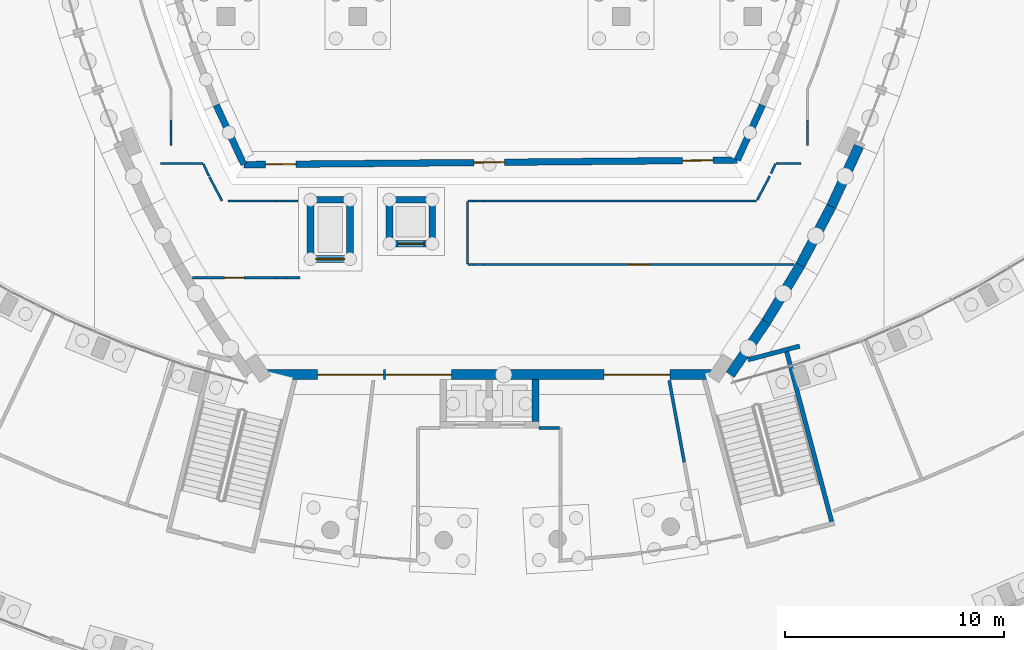
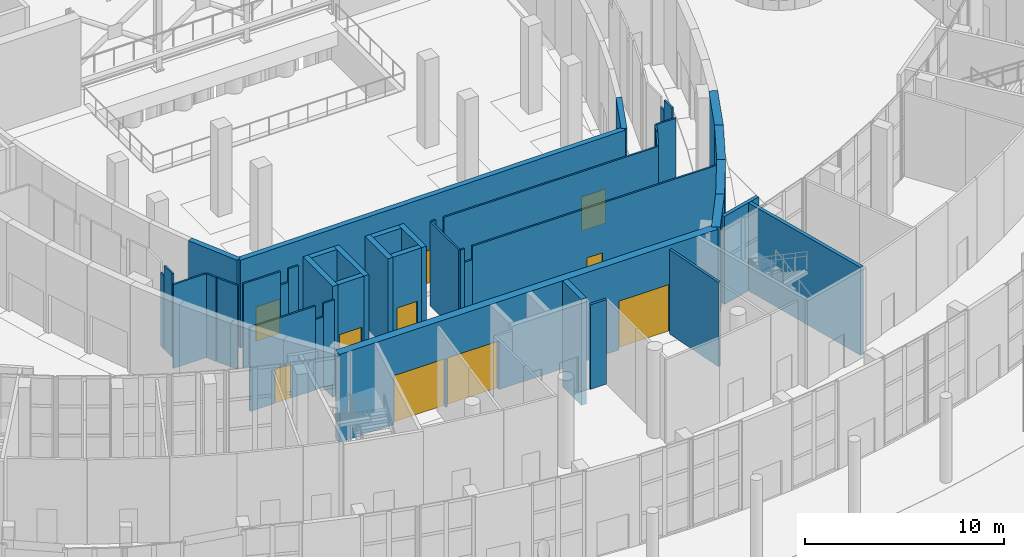
# One storey, part 48 of 82: 44 walls, 10 doors, 10 openings.
"""IFC4 building model written with IfcOpenShell, lengths in metres."""

from ifc_helpers import new_model, si_unit, direction, frame, frame_2d, origin, place, context, subcontext, project, spatial, rectangle, extrude, material, layer, layer_set, type_object, element, fill, save


model = new_model("IFC4")

# Units and contexts
model_context = context("Model", 3, precision=1e-05, world=origin(), true_north=direction((0.0, 1.0)))
body_context = subcontext(model_context, "Body", "Model", "MODEL_VIEW")
ifc_project = project(units=[si_unit("LENGTHUNIT", "METRE"), si_unit("AREAUNIT", "SQUARE_METRE"), si_unit("VOLUMEUNIT", "CUBIC_METRE"), si_unit("PLANEANGLEUNIT", "RADIAN"), si_unit("MASSUNIT", "GRAM", prefix="KILO")], contexts=[model_context])

# Site, building, storey
site_placement = place(None, origin())
site = spatial("IfcSite", under=ifc_project, at=site_placement, CompositionType="ELEMENT")
building_placement = place(site_placement, origin())
building = spatial("IfcBuilding", under=site, at=building_placement, Name="Tide Square Theatres", CompositionType="ELEMENT")
storey_placement = place(building_placement, origin())
storey = spatial("IfcBuildingStorey", under=building, at=storey_placement, Name="L00", CompositionType="ELEMENT", Elevation=0.0)

# Walls
ifc_material_1 = material(Name="Gypsum board on steel studs", Category="steel")
ifc_layer_1 = layer(ifc_material_1, 0.10009765625)
ifc_layer_set_1 = layer_set([ifc_layer_1], Name="Gypsum board on steel studs")
wall_type_1 = type_object("IfcWallType", Name="Partition 100 thick", PredefinedType="PARTITIONING", material=ifc_layer_set_1)
wall_1_placement = place(storey_placement, frame((69.02001953125, 33.199951171875, 0.0), z_axis=(0.0, 0.0, 1.0), x_axis=(1.0, 0.0, 0.0)))
element("IfcWall", 1, at=wall_1_placement, inside=storey, type_object=wall_type_1, Name="Partition", PredefinedType="PARTITIONING", context=body_context, shape_type="SweptSolid", body=[
    extrude(rectangle(XDim=1.92724609375, YDim=0.10009765625, at=frame_2d((0.963623046875, 0.0))), origin(), (0.0, 0.0, 1.0), 5.14990234375),
])
wall_2_placement = place(storey_placement, frame((69.5, 35.179931640625, 0.0), z_axis=(0.0, 0.0, 1.0), x_axis=(0.0, -1.0, 0.0)))
element("IfcWall", 2, at=wall_2_placement, inside=storey, type_object=wall_type_1, Name="Partition", PredefinedType="PARTITIONING", context=body_context, shape_type="SweptSolid", body=[
    extrude(rectangle(XDim=0.35986328125, YDim=0.10009765625, at=frame_2d((0.179931640625, 0.0))), origin(), (0.0, 0.0, 1.0), 4.52001953125),
])
wall_3_placement = place(storey_placement, frame((69.5, 34.820068359375, 0.0), z_axis=(0.0, 0.0, 1.0), x_axis=(0.0, -1.0, 0.0)))
element("IfcWall", 3, at=wall_3_placement, inside=storey, type_object=wall_type_1, Name="Partition", PredefinedType="PARTITIONING", context=body_context, shape_type="SweptSolid", body=[
    extrude(rectangle(XDim=0.796875, YDim=0.10009765625, at=frame_2d((0.3984375, 0.0))), origin(), (0.0, 0.0, 1.0), 5.14990234375),
])
wall_4_placement = place(storey_placement, frame((75.376953125, 28.0, 0.0), z_axis=(0.0, 0.0, 1.0), x_axis=(-1.0, 0.0, 0.0)))
element("IfcWall", 4, at=wall_4_placement, inside=storey, type_object=wall_type_1, Name="Partition", PredefinedType="PARTITIONING", context=body_context, shape_type="SweptSolid", body=[
    extrude(rectangle(XDim=0.64697265625, YDim=0.10009765625, at=frame_2d((0.323486328125, 0.0))), origin(), (0.0, 0.0, 1.0), 5.14990234375),
])
wall_5_placement = place(storey_placement, frame((74.72998046875, 28.0, 0.0), z_axis=(0.0, 0.0, 1.0), x_axis=(-1.0, 0.0, 0.0)))
element("IfcWall", 5, at=wall_5_placement, inside=storey, type_object=wall_type_1, Name="Partition", PredefinedType="PARTITIONING", context=body_context, shape_type="SweptSolid", body=[
    extrude(rectangle(XDim=0.4599609375, YDim=0.10009765625, at=frame_2d((0.22998046875, 0.0))), origin(), (0.0, 0.0, 1.0), 4.320068359375),
])

# Wall, opening, door
wall_6_placement = place(storey_placement, frame((74.27001953125, 28.0, 0.0), z_axis=(0.0, 0.0, 1.0), x_axis=(-1.0, 0.0, 0.0)))
wall_6 = element("IfcWall", 6, at=wall_6_placement, inside=storey, type_object=wall_type_1, Name="Partition", PredefinedType="PARTITIONING", context=body_context, shape_type="SweptSolid", body=[
    extrude(rectangle(XDim=3.790771484375, YDim=0.10009765625, at=frame_2d((1.8955078125, 0.0))), origin(), (0.0, 0.0, 1.0), 5.14990234375),
])
opening_1_placement = place(wall_6_placement, frame((1.4453125, 0.0, 0.0)))
opening_1 = element("IfcOpeningElement", 7, at=opening_1_placement, cuts=wall_6, Name="Opening M00-21", PredefinedType="OPENING", context=body_context, shape_type="SweptSolid", body=[
    extrude(rectangle(XDim=0.89990234375, YDim=2.10009765625, at=frame_2d((0.449951171875, 1.050048828125))), frame((0.0, 0.06005859375, 0.0), z_axis=(0.0, -1.0, 0.0), x_axis=(1.0, 0.0, 0.0)), (0.0, 0.0, 1.0), 0.1201171875),
])
ifc_material_2 = material(Name="Hardwood timber", Category="wood")
door_type_1 = type_object("IfcDoorType", Name="Door 900 x 2100 single leaf", OperationType="NOTDEFINED", PredefinedType="DOOR", material=ifc_material_2)
door_1_placement = place(opening_1_placement, frame((0.89990234375, 0.0, 0.0), z_axis=(0.0, 0.0, 1.0), x_axis=(-1.0, 0.0, 0.0)))
door_1 = element("IfcDoor", 8, at=door_1_placement, inside=storey, type_object=door_type_1, Name="Cloakroom door", OperationType="SINGLE_SWING_LEFT", OverallHeight=2.10009765625, OverallWidth=0.89990234375, PredefinedType="DOOR", context=body_context, shape_type="SweptSolid", body=[
    extrude(rectangle(XDim=0.89990234375, YDim=2.10009765625, at=frame_2d((0.449951171875, 1.050048828125))), frame((0.0, 0.02490234375, 0.0), z_axis=(0.0, -1.0, 0.0), x_axis=(1.0, 0.0, 0.0)), (0.0, 0.0, 1.0), 0.050048828125),
])
fill(opening_1, door_1)

# Walls
wall_7_placement = place(storey_placement, frame((70.97412109375, 33.176513671875, 0.0), z_axis=(0.0, 0.0, 1.0), x_axis=(0.416055955945, -0.909339013527, 0.0)))
element("IfcWall", 9, at=wall_7_placement, inside=storey, type_object=wall_type_1, Name="Partition", PredefinedType="PARTITIONING", context=body_context, shape_type="SweptSolid", body=[
    extrude(rectangle(XDim=0.603759765625, YDim=0.10009765625, at=frame_2d((0.3017578125, 0.0))), origin(), (0.0, 0.0, 1.0), 5.14990234375),
])
wall_8_placement = place(storey_placement, frame((71.248779296875, 32.582763671875, 0.0), z_axis=(0.0, 0.0, 1.0), x_axis=(0.466970962101, -0.884272650575, 0.0)))
element("IfcWall", 10, at=wall_8_placement, inside=storey, type_object=wall_type_1, Name="Partition", PredefinedType="PARTITIONING", context=body_context, shape_type="SweptSolid", body=[
    extrude(rectangle(XDim=1.223876953125, YDim=0.10009765625, at=frame_2d((0.61181640625, 0.0))), origin(), (0.0, 0.0, 1.0), 5.14990234375),
])
wall_9_placement = place(storey_placement, frame((72.098388671875, 31.5, 0.0), z_axis=(0.0, 0.0, 1.0), x_axis=(1.0, 0.0, 0.0)))
element("IfcWall", 11, at=wall_9_placement, inside=storey, type_object=wall_type_1, Name="Partition", PredefinedType="PARTITIONING", context=body_context, shape_type="SweptSolid", body=[
    extrude(rectangle(XDim=2.171630859375, YDim=0.10009765625, at=frame_2d((1.0859375, 0.0))), origin(), (0.0, 0.0, 1.0), 5.14990234375),
])
wall_10_placement = place(storey_placement, frame((74.27001953125, 31.5, 0.0), z_axis=(0.0, 0.0, 1.0), x_axis=(1.0, 0.0, 0.0)))
element("IfcWall", 12, at=wall_10_placement, inside=storey, type_object=wall_type_1, Name="Partition", PredefinedType="PARTITIONING", context=body_context, shape_type="SweptSolid", body=[
    extrude(rectangle(XDim=0.4599609375, YDim=0.10009765625, at=frame_2d((0.22998046875, 0.0))), origin(), (0.0, 0.0, 1.0), 4.320068359375),
])
wall_11_placement = place(storey_placement, frame((74.72998046875, 31.5, 0.0), z_axis=(0.0, 0.0, 1.0), x_axis=(1.0, 0.0, 0.0)))
element("IfcWall", 13, at=wall_11_placement, inside=storey, type_object=wall_type_1, Name="Partition", PredefinedType="PARTITIONING", context=body_context, shape_type="SweptSolid", body=[
    extrude(rectangle(XDim=0.557861328125, YDim=0.10009765625, at=frame_2d((0.27880859375, 0.0))), origin(), (0.0, 0.0, 1.0), 5.14990234375),
])
wall_12_placement = place(storey_placement, frame((83.0, 28.623046875, 0.0), z_axis=(0.0, 0.0, 1.0), x_axis=(0.0, 1.0, 0.0)))
element("IfcWall", 14, at=wall_12_placement, inside=storey, type_object=wall_type_1, Name="Partition", PredefinedType="PARTITIONING", context=body_context, shape_type="SweptSolid", body=[
    extrude(rectangle(XDim=2.853759765625, YDim=0.10009765625, at=frame_2d((1.4267578125, 0.0))), origin(), (0.0, 0.0, 1.0), 5.14990234375),
])
wall_13_placement = place(storey_placement, frame((83.032958984375, 31.5, 0.0), z_axis=(0.0, 0.0, 1.0), x_axis=(1.0, 0.0, 0.0)))
element("IfcWall", 15, at=wall_13_placement, inside=storey, type_object=wall_type_1, Name="Partition", PredefinedType="PARTITIONING", context=body_context, shape_type="SweptSolid", body=[
    extrude(rectangle(XDim=0.237060546875, YDim=0.10009765625, at=frame_2d((0.11865234375, 0.0))), origin(), (0.0, 0.0, 1.0), 5.14990234375),
])
wall_14_placement = place(storey_placement, frame((83.27001953125, 31.5, 0.0), z_axis=(0.0, 0.0, 1.0), x_axis=(1.0, 0.0, 0.0)))
element("IfcWall", 16, at=wall_14_placement, inside=storey, type_object=wall_type_1, Name="Partition", PredefinedType="PARTITIONING", context=body_context, shape_type="SweptSolid", body=[
    extrude(rectangle(XDim=0.4599609375, YDim=0.10009765625, at=frame_2d((0.22998046875, 0.0))), origin(), (0.0, 0.0, 1.0), 4.320068359375),
])
wall_15_placement = place(storey_placement, frame((83.72998046875, 31.5, 0.0), z_axis=(0.0, 0.0, 1.0), x_axis=(1.0, 0.0, 0.0)))
element("IfcWall", 17, at=wall_15_placement, inside=storey, type_object=wall_type_1, Name="Partition", PredefinedType="PARTITIONING", context=body_context, shape_type="SweptSolid", body=[
    extrude(rectangle(XDim=12.44921875, YDim=0.10009765625, at=frame_2d((6.224609375, 0.0))), origin(), (0.0, 0.0, 1.0), 5.14990234375),
])
wall_16_placement = place(storey_placement, frame((96.203125, 31.544677734375, 0.0), z_axis=(0.0, 0.0, 1.0), x_axis=(0.466814963205, 0.884355013627, 0.0)))
element("IfcWall", 18, at=wall_16_placement, inside=storey, type_object=wall_type_1, Name="Partition", PredefinedType="PARTITIONING", context=body_context, shape_type="SweptSolid", body=[
    extrude(rectangle(XDim=1.223876953125, YDim=0.10009765625, at=frame_2d((0.61181640625, 0.0))), origin(), (0.0, 0.0, 1.0), 5.14990234375),
])

# Wall, opening, door
wall_17_placement = place(storey_placement, frame((97.8818359375, 28.60009765625, 0.0), z_axis=(0.0, 0.0, 1.0), x_axis=(-1.0, 0.0, 0.0)))
wall_17 = element("IfcWall", 19, at=wall_17_placement, inside=storey, type_object=wall_type_1, Name="Partition", PredefinedType="PARTITIONING", context=body_context, shape_type="SweptSolid", body=[
    extrude(rectangle(XDim=14.15185546875, YDim=0.10009765625, at=frame_2d((7.075927734375, 0.0))), origin(), (0.0, 0.0, 1.0), 5.14990234375),
])
opening_2_placement = place(wall_17_placement, frame((6.6259765625, 0.0, 0.0)))
opening_2 = element("IfcOpeningElement", 20, at=opening_2_placement, cuts=wall_17, Name="Opening M00-22", PredefinedType="OPENING", context=body_context, shape_type="SweptSolid", body=[
    extrude(rectangle(XDim=0.89990234375, YDim=2.10009765625, at=frame_2d((0.449951171875, 1.050048828125))), frame((0.0, 0.06005859375, 0.0), z_axis=(0.0, -1.0, 0.0), x_axis=(1.0, 0.0, 0.0)), (0.0, 0.0, 1.0), 0.1201171875),
])
door_2_placement = place(opening_2_placement, frame((0.89990234375, 0.0, 0.0), z_axis=(0.0, 0.0, 1.0), x_axis=(-1.0, 0.0, 0.0)))
door_2 = element("IfcDoor", 21, at=door_2_placement, inside=storey, type_object=door_type_1, Name="Stalls Bar door", OperationType="SINGLE_SWING_LEFT", OverallHeight=2.10009765625, OverallWidth=0.89990234375, PredefinedType="DOOR", context=body_context, shape_type="SweptSolid", body=[
    extrude(rectangle(XDim=0.89990234375, YDim=2.10009765625, at=frame_2d((0.449951171875, 1.050048828125))), frame((0.0, 0.02490234375, 0.0), z_axis=(0.0, -1.0, 0.0), x_axis=(1.0, 0.0, 0.0)), (0.0, 0.0, 1.0), 0.050048828125),
])
fill(opening_2, door_2)

# Walls
wall_18_placement = place(storey_placement, frame((83.72998046875, 28.60009765625, 0.0), z_axis=(0.0, 0.0, 1.0), x_axis=(-1.0, 0.0, 0.0)))
element("IfcWall", 22, at=wall_18_placement, inside=storey, type_object=wall_type_1, Name="Partition", PredefinedType="PARTITIONING", context=body_context, shape_type="SweptSolid", body=[
    extrude(rectangle(XDim=0.4599609375, YDim=0.10009765625, at=frame_2d((0.22998046875, 0.0))), origin(), (0.0, 0.0, 1.0), 4.320068359375),
])
wall_19_placement = place(storey_placement, frame((83.27001953125, 28.60009765625, 0.0), z_axis=(0.0, 0.0, 1.0), x_axis=(-1.0, 0.0, 0.0)))
element("IfcWall", 23, at=wall_19_placement, inside=storey, type_object=wall_type_1, Name="Partition", PredefinedType="PARTITIONING", context=body_context, shape_type="SweptSolid", body=[
    extrude(rectangle(XDim=0.23681640625, YDim=0.10009765625, at=frame_2d((0.118408203125, 0.0))), origin(), (0.0, 0.0, 1.0), 5.14990234375),
])
wall_20_placement = place(storey_placement, frame((96.828857421875, 32.74560546875, 0.0), z_axis=(0.0, 0.0, 1.0), x_axis=(0.416272443585, 0.909239931323, 0.0)))
element("IfcWall", 24, at=wall_20_placement, inside=storey, type_object=wall_type_1, Name="Partition", PredefinedType="PARTITIONING", context=body_context, shape_type="SweptSolid", body=[
    extrude(rectangle(XDim=0.48388671875, YDim=0.10009765625, at=frame_2d((0.241943359375, 0.0))), origin(), (0.0, 0.0, 1.0), 5.14990234375),
])
wall_21_placement = place(storey_placement, frame((97.0625, 33.199951171875, 0.0), z_axis=(0.0, 0.0, 1.0), x_axis=(1.0, 0.0, 0.0)))
element("IfcWall", 25, at=wall_21_placement, inside=storey, type_object=wall_type_1, Name="Partition", PredefinedType="PARTITIONING", context=body_context, shape_type="SweptSolid", body=[
    extrude(rectangle(XDim=1.14013671875, YDim=0.10009765625, at=frame_2d((0.570068359375, 0.0))), origin(), (0.0, 0.0, 1.0), 5.14990234375),
])
wall_22_placement = place(storey_placement, frame((98.5, 34.023193359375, 0.0), z_axis=(0.0, 0.0, 1.0), x_axis=(0.0, 1.0, 0.0)))
element("IfcWall", 26, at=wall_22_placement, inside=storey, type_object=wall_type_1, Name="Partition", PredefinedType="PARTITIONING", context=body_context, shape_type="SweptSolid", body=[
    extrude(rectangle(XDim=0.796875, YDim=0.10009765625, at=frame_2d((0.3984375, 0.0))), origin(), (0.0, 0.0, 1.0), 5.14990234375),
])
wall_23_placement = place(storey_placement, frame((98.5, 34.820068359375, 0.0), z_axis=(0.0, 0.0, 1.0), x_axis=(0.0, 1.0, 0.0)))
element("IfcWall", 27, at=wall_23_placement, inside=storey, type_object=wall_type_1, Name="Partition", PredefinedType="PARTITIONING", context=body_context, shape_type="SweptSolid", body=[
    extrude(rectangle(XDim=0.35986328125, YDim=0.10009765625, at=frame_2d((0.179931640625, 0.0))), origin(), (0.0, 0.0, 1.0), 4.52001953125),
])
ifc_material_3 = material(Name="Concrete masonry block", Category="masonry")
ifc_layer_2 = layer(ifc_material_3, 0.139892578125)
ifc_layer_set_2 = layer_set([ifc_layer_2], Name="Concrete masonry block")
wall_type_2 = type_object("IfcWallType", Name="Partition 140 thick", PredefinedType="PARTITIONING", material=ifc_layer_set_2)
wall_24_placement = place(storey_placement, frame((92.1962890625, 23.317626953125, 0.0), z_axis=(0.0, 0.0, 1.0), x_axis=(0.180428728445, -0.983588061107, 0.0)))
element("IfcWall", 28, at=wall_24_placement, inside=storey, type_object=wall_type_2, Name="Foyer room partition", PredefinedType="PARTITIONING", context=body_context, shape_type="SweptSolid", body=[
    extrude(rectangle(XDim=3.7861328125, YDim=0.139892578125, at=frame_2d((1.89306640625, 0.0))), origin(), (0.0, 0.0, 1.0), 5.179931640625),
])
wall_25_placement = place(storey_placement, frame((86.25, 21.15771484375, 0.0), z_axis=(0.0, 0.0, 1.0), x_axis=(1.0, 0.0, 0.0)))
element("IfcWall", 29, at=wall_25_placement, inside=storey, type_object=wall_type_2, Name="Foyer room partition", PredefinedType="PARTITIONING", context=body_context, shape_type="SweptSolid", body=[
    extrude(rectangle(XDim=0.949951171875, YDim=0.139892578125, at=frame_2d((0.47509765625, 0.0))), origin(), (0.0, 0.0, 1.0), 5.179931640625),
])
ifc_material_4 = material(Name="Concrete C40", Category="concrete")
ifc_layer_3 = layer(ifc_material_4, 0.449951171875)
ifc_layer_set_3 = layer_set([ifc_layer_3], Name="Concrete C40")
wall_type_3 = type_object("IfcWallType", Name="RC curved wall 450 thick", PredefinedType="SOLIDWALL", material=ifc_layer_set_3)
wall_26_placement = place(storey_placement, frame((94.97412109375, 23.58251953125, 0.0), z_axis=(0.0, 0.0, 1.0), x_axis=(0.5629642644, 0.826481238147, 0.0)))
element("IfcWall", 30, at=wall_26_placement, inside=storey, type_object=wall_type_3, Name="Main Theatre perimeter wall", PredefinedType="SOLIDWALL", context=body_context, shape_type="SweptSolid", body=[
    extrude(rectangle(XDim=2.908203125, YDim=0.449951171875, at=frame_2d((1.4541015625, 0.0))), origin(), (0.0, 0.0, 1.0), 5.39990234375),
])
wall_27_placement = place(storey_placement, frame((96.611328125, 25.986083984375, 0.0), z_axis=(0.0, 0.0, 1.0), x_axis=(0.515636119523, 0.856807675177, 0.0)))
element("IfcWall", 31, at=wall_27_placement, inside=storey, type_object=wall_type_3, Name="Main Theatre perimeter wall", PredefinedType="SOLIDWALL", context=body_context, shape_type="SweptSolid", body=[
    extrude(rectangle(XDim=3.021240234375, YDim=0.449951171875, at=frame_2d((1.5107421875, 0.0))), origin(), (0.0, 0.0, 1.0), 5.39990234375),
])
wall_28_placement = place(storey_placement, frame((98.169189453125, 28.57470703125, 0.0), z_axis=(0.0, 0.0, 1.0), x_axis=(0.466728769487, 0.884400506407, 0.0)))
element("IfcWall", 32, at=wall_28_placement, inside=storey, type_object=wall_type_3, Name="Main Theatre perimeter wall", PredefinedType="SOLIDWALL", context=body_context, shape_type="SweptSolid", body=[
    extrude(rectangle(XDim=3.020751953125, YDim=0.449951171875, at=frame_2d((1.51025390625, 0.0))), origin(), (0.0, 0.0, 1.0), 5.39990234375),
])
wall_29_placement = place(storey_placement, frame((99.5791015625, 31.246337890625, 0.0), z_axis=(0.0, 0.0, 1.0), x_axis=(0.416407051835, 0.909178292296, 0.0)))
element("IfcWall", 33, at=wall_29_placement, inside=storey, type_object=wall_type_3, Name="Main Theatre perimeter wall", PredefinedType="SOLIDWALL", context=body_context, shape_type="SweptSolid", body=[
    extrude(rectangle(XDim=3.021240234375, YDim=0.449951171875, at=frame_2d((1.5107421875, 0.0))), origin(), (0.0, 0.0, 1.0), 5.39990234375),
])

# Wall, openings, doors
wall_30_placement = place(storey_placement, frame((73.02587890625, 23.58251953125, 0.0), z_axis=(0.0, 0.0, 1.0), x_axis=(1.0, 0.0, 0.0)))
wall_30 = element("IfcWall", 34, at=wall_30_placement, inside=storey, type_object=wall_type_3, Name="Main Theatre perimeter wall", PredefinedType="SOLIDWALL", context=body_context, shape_type="SweptSolid", body=[
    extrude(rectangle(XDim=21.9482421875, YDim=0.449951171875, at=frame_2d((10.97412109375, 0.0))), origin(), (0.0, 0.0, 1.0), 5.39990234375),
])
opening_3_placement = place(wall_30_placement, frame((3.14990234375, 0.0, 0.0)))
opening_3 = element("IfcOpeningElement", 35, at=opening_3_placement, cuts=wall_30, Name="Opening M00-08", PredefinedType="OPENING", context=body_context, shape_type="SweptSolid", body=[
    extrude(rectangle(XDim=3.0, YDim=3.0, at=frame_2d((1.5, 1.5))), frame((0.0, 0.23486328125, 0.0), z_axis=(0.0, -1.0, 0.0), x_axis=(1.0, 0.0, 0.0)), (0.0, 0.0, 1.0), 0.469970703125),
])
opening_4_placement = place(wall_30_placement, frame((6.25, 0.0, 0.0)))
opening_4 = element("IfcOpeningElement", 36, at=opening_4_placement, cuts=wall_30, Name="Opening M00-09", PredefinedType="OPENING", context=body_context, shape_type="SweptSolid", body=[
    extrude(rectangle(XDim=3.0, YDim=3.0, at=frame_2d((1.5, 1.5))), frame((0.0, 0.23486328125, 0.0), z_axis=(0.0, -1.0, 0.0), x_axis=(1.0, 0.0, 0.0)), (0.0, 0.0, 1.0), 0.469970703125),
])
opening_5_placement = place(wall_30_placement, frame((16.199951171875, 0.0, 0.0)))
opening_5 = element("IfcOpeningElement", 37, at=opening_5_placement, cuts=wall_30, Name="Opening M00-10", PredefinedType="OPENING", context=body_context, shape_type="SweptSolid", body=[
    extrude(rectangle(XDim=3.0, YDim=3.0, at=frame_2d((1.5, 1.5))), frame((0.0, 0.23486328125, 0.0), z_axis=(0.0, -1.0, 0.0), x_axis=(1.0, 0.0, 0.0)), (0.0, 0.0, 1.0), 0.469970703125),
])
ifc_material_5 = material(Name="Aluminium with laminated glass", Category="aluminium")
door_type_2 = type_object("IfcDoorType", Name="Door 3000 x 3000 double leaf", OperationType="DOUBLE_DOOR_SINGLE_SWING", PredefinedType="DOOR", material=ifc_material_5)
door_3_placement = place(opening_3_placement, frame((3.0, 0.0, 0.0), z_axis=(0.0, 0.0, 1.0), x_axis=(-1.0, 0.0, 0.0)))
door_3 = element("IfcDoor", 38, at=door_3_placement, inside=storey, type_object=door_type_2, Name="Main Theatre entrance doors", OperationType="DOUBLE_DOOR_SINGLE_SWING", OverallHeight=3.0, OverallWidth=3.0, PredefinedType="DOOR", context=body_context, shape_type="SweptSolid", body=[
    extrude(rectangle(XDim=3.0, YDim=3.0, at=frame_2d((1.5, 1.5))), frame((0.0, 0.02490234375, 0.0), z_axis=(0.0, -1.0, 0.0), x_axis=(1.0, 0.0, 0.0)), (0.0, 0.0, 1.0), 0.050048828125),
])
fill(opening_3, door_3)
door_4_placement = place(opening_4_placement, frame((3.0, 0.0, 0.0), z_axis=(0.0, 0.0, 1.0), x_axis=(-1.0, 0.0, 0.0)))
door_4 = element("IfcDoor", 39, at=door_4_placement, inside=storey, type_object=door_type_2, Name="Main Theatre entrance doors", OperationType="DOUBLE_DOOR_SINGLE_SWING", OverallHeight=3.0, OverallWidth=3.0, PredefinedType="DOOR", context=body_context, shape_type="SweptSolid", body=[
    extrude(rectangle(XDim=3.0, YDim=3.0, at=frame_2d((1.5, 1.5))), frame((0.0, 0.02490234375, 0.0), z_axis=(0.0, -1.0, 0.0), x_axis=(1.0, 0.0, 0.0)), (0.0, 0.0, 1.0), 0.050048828125),
])
fill(opening_4, door_4)
door_5_placement = place(opening_5_placement, frame((3.0, 0.0, 0.0), z_axis=(0.0, 0.0, 1.0), x_axis=(-1.0, 0.0, 0.0)))
door_5 = element("IfcDoor", 40, at=door_5_placement, inside=storey, type_object=door_type_2, Name="Main Theatre entrance doors", OperationType="DOUBLE_DOOR_SINGLE_SWING", OverallHeight=3.0, OverallWidth=3.0, PredefinedType="DOOR", context=body_context, shape_type="SweptSolid", body=[
    extrude(rectangle(XDim=3.0, YDim=3.0, at=frame_2d((1.5, 1.5))), frame((0.0, 0.02490234375, 0.0), z_axis=(0.0, -1.0, 0.0), x_axis=(1.0, 0.0, 0.0)), (0.0, 0.0, 1.0), 0.050048828125),
])
fill(opening_5, door_5)

# Walls
ifc_material_6 = material(Name="Concrete C40", Category="concrete")
ifc_layer_4 = layer(ifc_material_6, 0.199951171875)
ifc_layer_set_4 = layer_set([ifc_layer_4], Name="Concrete C40")
wall_type_4 = type_object("IfcWallType", Name="RC shear wall 200 thick", PredefinedType="SHEAR", material=ifc_layer_set_4)
wall_31_placement = place(storey_placement, frame((98.138427734375, 24.883544921875, 0.0), z_axis=(0.0, 0.0, 1.0), x_axis=(-0.966582812495, -0.256354572009, 0.0)))
element("IfcWall", 41, at=wall_31_placement, inside=storey, type_object=wall_type_4, Name="Exit stair F4 wall", PredefinedType="SHEAR", context=body_context, shape_type="SweptSolid", body=[
    extrude(rectangle(XDim=2.43994140625, YDim=0.199951171875, at=frame_2d((1.219970703125, 0.0))), origin(), (0.0, 0.0, 1.0), 5.39990234375),
])
wall_32_placement = place(storey_placement, frame((99.59619140625, 16.89013671875, 0.0), z_axis=(0.0, 0.0, 1.0), x_axis=(-0.25631948932, 0.966592116352, 0.0)))
element("IfcWall", 42, at=wall_32_placement, inside=storey, type_object=wall_type_4, Name="Exit stair F4 wall", PredefinedType="SHEAR", context=body_context, shape_type="SweptSolid", body=[
    extrude(rectangle(XDim=8.0, YDim=0.199951171875, at=frame_2d((4.0, 0.0))), origin(), (0.0, 0.0, 1.0), 5.39990234375),
])
ifc_material_7 = material(Name="Concrete C40", Category="concrete")
ifc_layer_5 = layer(ifc_material_7, 0.300048828125)
ifc_layer_set_5 = layer_set([ifc_layer_5], Name="Concrete C40")
wall_type_5 = type_object("IfcWallType", Name="RC shear wall 300 thick", PredefinedType="SHEAR", material=ifc_layer_set_5)
wall_33_placement = place(storey_placement, frame((71.5576171875, 35.86474609375, 0.0), z_axis=(0.0, 0.0, 1.0), x_axis=(0.420315192535, -0.907378167538, 0.0)))
element("IfcWall", 43, at=wall_33_placement, inside=storey, type_object=wall_type_5, Name="Main Theatre auditorium wall", PredefinedType="SHEAR", context=body_context, shape_type="SweptSolid", body=[
    extrude(rectangle(XDim=2.991943359375, YDim=0.300048828125, at=frame_2d((1.49609375, 0.0))), origin(), (0.0, 0.0, 1.0), 5.39990234375),
])

# Wall, openings, doors
wall_34_placement = place(storey_placement, frame((72.815185546875, 33.14990234375, 0.0), z_axis=(0.0, 0.0, 1.0), x_axis=(0.999957788763, 0.009188073348, 0.0)))
wall_34 = element("IfcWall", 44, at=wall_34_placement, inside=storey, type_object=wall_type_5, Name="Main Theatre auditorium wall", PredefinedType="SHEAR", context=body_context, shape_type="SweptSolid", body=[
    extrude(rectangle(XDim=22.4794921875, YDim=0.300048828125, at=frame_2d((11.23974609375, 0.0))), origin(), (0.0, 0.0, 1.0), 5.39990234375),
])
opening_6_placement = place(wall_34_placement, frame((0.984619140625, 0.0, 0.0)))
opening_6 = element("IfcOpeningElement", 45, at=opening_6_placement, cuts=wall_34, Name="Opening M00-31", PredefinedType="OPENING", context=body_context, shape_type="SweptSolid", body=[
    extrude(rectangle(XDim=1.39990234375, YDim=2.10009765625, at=frame_2d((0.699951171875, 1.050048828125))), frame((0.0, 0.159912109375, 0.0), z_axis=(0.0, -1.0, 0.0), x_axis=(1.0, 0.0, 0.0)), (0.0, 0.0, 1.0), 0.320068359375),
])
opening_7_placement = place(wall_34_placement, frame((10.484619140625, 0.0, 0.0)))
opening_7 = element("IfcOpeningElement", 46, at=opening_7_placement, cuts=wall_34, Name="Opening M00-32", PredefinedType="OPENING", context=body_context, shape_type="SweptSolid", body=[
    extrude(rectangle(XDim=1.39990234375, YDim=2.10009765625, at=frame_2d((0.699951171875, 1.050048828125))), frame((0.0, 0.159912109375, 0.0), z_axis=(0.0, -1.0, 0.0), x_axis=(1.0, 0.0, 0.0)), (0.0, 0.0, 1.0), 0.320068359375),
])
opening_8_placement = place(wall_34_placement, frame((19.984619140625, 0.0, 0.0)))
opening_8 = element("IfcOpeningElement", 47, at=opening_8_placement, cuts=wall_34, Name="Opening M00-33", PredefinedType="OPENING", context=body_context, shape_type="SweptSolid", body=[
    extrude(rectangle(XDim=1.39990234375, YDim=2.10009765625, at=frame_2d((0.699951171875, 1.050048828125))), frame((0.0, 0.159912109375, 0.0), z_axis=(0.0, -1.0, 0.0), x_axis=(1.0, 0.0, 0.0)), (0.0, 0.0, 1.0), 0.320068359375),
])
ifc_material_8 = material(Name="Hardwood timber", Category="wood")
door_type_3 = type_object("IfcDoorType", Name="Door 1400 x 2100 double leaf", OperationType="DOUBLE_DOOR_SINGLE_SWING", PredefinedType="DOOR", material=ifc_material_8)
door_6_placement = place(opening_6_placement, origin())
door_6 = element("IfcDoor", 48, at=door_6_placement, inside=storey, type_object=door_type_3, Name="Auditorium entrance pair", OperationType="DOUBLE_DOOR_SINGLE_SWING", OverallHeight=2.10009765625, OverallWidth=1.39990234375, PredefinedType="DOOR", context=body_context, shape_type="SweptSolid", body=[
    extrude(rectangle(XDim=1.39990234375, YDim=2.10009765625, at=frame_2d((0.699951171875, 1.050048828125))), frame((0.0, 0.02490234375, 0.0), z_axis=(0.0, -1.0, 0.0), x_axis=(1.0, 0.0, 0.0)), (0.0, 0.0, 1.0), 0.050048828125),
])
fill(opening_6, door_6)
door_7_placement = place(opening_7_placement, origin())
door_7 = element("IfcDoor", 49, at=door_7_placement, inside=storey, type_object=door_type_3, Name="Auditorium entrance pair", OperationType="DOUBLE_DOOR_SINGLE_SWING", OverallHeight=2.10009765625, OverallWidth=1.39990234375, PredefinedType="DOOR", context=body_context, shape_type="SweptSolid", body=[
    extrude(rectangle(XDim=1.39990234375, YDim=2.10009765625, at=frame_2d((0.699951171875, 1.050048828125))), frame((0.0, 0.02490234375, 0.0), z_axis=(0.0, -1.0, 0.0), x_axis=(1.0, 0.0, 0.0)), (0.0, 0.0, 1.0), 0.050048828125),
])
fill(opening_7, door_7)
door_8_placement = place(opening_8_placement, origin())
door_8 = element("IfcDoor", 50, at=door_8_placement, inside=storey, type_object=door_type_3, Name="Auditorium entrance pair", OperationType="DOUBLE_DOOR_SINGLE_SWING", OverallHeight=2.10009765625, OverallWidth=1.39990234375, PredefinedType="DOOR", context=body_context, shape_type="SweptSolid", body=[
    extrude(rectangle(XDim=1.39990234375, YDim=2.10009765625, at=frame_2d((0.699951171875, 1.050048828125))), frame((0.0, 0.02490234375, 0.0), z_axis=(0.0, -1.0, 0.0), x_axis=(1.0, 0.0, 0.0)), (0.0, 0.0, 1.0), 0.050048828125),
])
fill(opening_8, door_8)

# Wall
wall_35_placement = place(storey_placement, frame((95.293701171875, 33.3564453125, 0.0), z_axis=(0.0, 0.0, 1.0), x_axis=(0.416368255987, 0.909196059938, 0.0)))
element("IfcWall", 51, at=wall_35_placement, inside=storey, type_object=wall_type_5, Name="Main Theatre auditorium wall", PredefinedType="SHEAR", context=body_context, shape_type="SweptSolid", body=[
    extrude(rectangle(XDim=2.7587890625, YDim=0.300048828125, at=frame_2d((1.37939453125, 0.0))), origin(), (0.0, 0.0, 1.0), 5.39990234375),
])

# Wall, opening, door
wall_36_placement = place(storey_placement, frame((76.0, 28.85009765625, -1.39990234375), z_axis=(0.0, 0.0, 1.0), x_axis=(1.0, 0.0, 0.0)))
wall_36 = element("IfcWall", 52, at=wall_36_placement, inside=storey, type_object=wall_type_5, Name="Main Theatre lift 1 shaft wall", PredefinedType="SHEAR", context=body_context, shape_type="SweptSolid", body=[
    extrude(rectangle(XDim=1.5, YDim=0.300048828125, at=frame_2d((0.75, 0.0))), origin(), (0.0, 0.0, 1.0), 6.7998046875),
])
opening_9_placement = place(wall_36_placement, frame((0.10009765625, 0.0, 1.39990234375)))
opening_9 = element("IfcOpeningElement", 53, at=opening_9_placement, cuts=wall_36, Name="Opening LD-M1-0", PredefinedType="OPENING", context=body_context, shape_type="SweptSolid", body=[
    extrude(rectangle(XDim=1.300048828125, YDim=2.300048828125, at=frame_2d((0.64990234375, 1.14990234375))), frame((0.0, 0.159912109375, 0.0), z_axis=(0.0, -1.0, 0.0), x_axis=(1.0, 0.0, 0.0)), (0.0, 0.0, 1.0), 0.320068359375),
])
ifc_material_9 = material(Name="Painted steel", Category="steel")
door_type_4 = type_object("IfcDoorType", Name="Door 1300 x 2300 sliding", OperationType="SLIDING_TO_LEFT", PredefinedType="DOOR", material=ifc_material_9)
door_9_placement = place(opening_9_placement, origin())
door_9 = element("IfcDoor", 54, at=door_9_placement, inside=storey, type_object=door_type_4, Name="Main Theatre Stretcher Lift landing door L00", OperationType="SLIDING_TO_LEFT", OverallHeight=2.300048828125, OverallWidth=1.300048828125, PredefinedType="DOOR", context=body_context, shape_type="SweptSolid", body=[
    extrude(rectangle(XDim=1.300048828125, YDim=2.300048828125, at=frame_2d((0.64990234375, 1.14990234375))), frame((0.0, 0.02490234375, 0.0), z_axis=(0.0, -1.0, 0.0), x_axis=(1.0, 0.0, 0.0)), (0.0, 0.0, 1.0), 0.050048828125),
])
fill(opening_9, door_9)

# Walls
wall_37_placement = place(storey_placement, frame((77.5, 31.550048828125, -1.39990234375), z_axis=(0.0, 0.0, 1.0), x_axis=(-1.0, 0.0, 0.0)))
element("IfcWall", 55, at=wall_37_placement, inside=storey, type_object=wall_type_5, Name="Main Theatre lift 1 shaft wall", PredefinedType="SHEAR", context=body_context, shape_type="SweptSolid", body=[
    extrude(rectangle(XDim=1.5, YDim=0.300048828125, at=frame_2d((0.75, 0.0))), origin(), (0.0, 0.0, 1.0), 6.7998046875),
])
for number, where, z_axis, x_axis, name in (
    (56, (75.85009765625, 31.699951171875, -1.39990234375), (0.0, 0.0, 1.0), (0.0, -1.0, 0.0), "Main Theatre lift 1 shaft wall"),
    (57, (77.64990234375, 28.699951171875, -1.39990234375), (0.0, 0.0, 1.0), (0.0, 1.0, 0.0), "Main Theatre lift 1 shaft wall"),
):
    element("IfcWall", number, at=place(storey_placement, frame(where, z_axis=z_axis, x_axis=x_axis)), inside=storey, type_object=wall_type_5, Name=name, PredefinedType="SHEAR", context=body_context, shape_type="SweptSolid", body=[
        extrude(rectangle(XDim=3.0, YDim=0.300048828125, at=frame_2d((1.5, 0.0))), origin(), (0.0, 0.0, 1.0), 6.7998046875),
    ])

# Wall, opening, door
wall_38_placement = place(storey_placement, frame((79.60009765625, 29.550048828125, -1.39990234375), z_axis=(0.0, 0.0, 1.0), x_axis=(1.0, 0.0, 0.0)))
wall_38 = element("IfcWall", 58, at=wall_38_placement, inside=storey, type_object=wall_type_5, Name="Main Theatre lift 2 shaft wall", PredefinedType="SHEAR", context=body_context, shape_type="SweptSolid", body=[
    extrude(rectangle(XDim=1.64990234375, YDim=0.300048828125, at=frame_2d((0.824951171875, 0.0))), origin(), (0.0, 0.0, 1.0), 6.7998046875),
])
opening_10_placement = place(wall_38_placement, frame((0.22509765625, 0.0, 1.39990234375)))
opening_10 = element("IfcOpeningElement", 59, at=opening_10_placement, cuts=wall_38, Name="Opening LD-M2-0", PredefinedType="OPENING", context=body_context, shape_type="SweptSolid", body=[
    extrude(rectangle(XDim=1.199951171875, YDim=2.199951171875, at=frame_2d((0.60009765625, 1.10009765625))), frame((0.0, 0.159912109375, 0.0), z_axis=(0.0, -1.0, 0.0), x_axis=(1.0, 0.0, 0.0)), (0.0, 0.0, 1.0), 0.320068359375),
])
ifc_material_10 = material(Name="Painted steel", Category="steel")
door_type_5 = type_object("IfcDoorType", Name="Door 1200 x 2200 sliding", OperationType="SLIDING_TO_LEFT", PredefinedType="DOOR", material=ifc_material_10)
door_10_placement = place(opening_10_placement, origin())
door_10 = element("IfcDoor", 60, at=door_10_placement, inside=storey, type_object=door_type_5, Name="Main Theatre Passenger Lift landing door L00", OperationType="SLIDING_TO_LEFT", OverallHeight=2.199951171875, OverallWidth=1.199951171875, PredefinedType="DOOR", context=body_context, shape_type="SweptSolid", body=[
    extrude(rectangle(XDim=1.199951171875, YDim=2.199951171875, at=frame_2d((0.60009765625, 1.10009765625))), frame((0.0, 0.02490234375, 0.0), z_axis=(0.0, -1.0, 0.0), x_axis=(1.0, 0.0, 0.0)), (0.0, 0.0, 1.0), 0.050048828125),
])
fill(opening_10, door_10)

# Walls
wall_39_placement = place(storey_placement, frame((81.25, 31.550048828125, -1.39990234375), z_axis=(0.0, 0.0, 1.0), x_axis=(-1.0, 0.0, 0.0)))
element("IfcWall", 61, at=wall_39_placement, inside=storey, type_object=wall_type_5, Name="Main Theatre lift 2 shaft wall", PredefinedType="SHEAR", context=body_context, shape_type="SweptSolid", body=[
    extrude(rectangle(XDim=1.64990234375, YDim=0.300048828125, at=frame_2d((0.824951171875, 0.0))), origin(), (0.0, 0.0, 1.0), 6.7998046875),
])
for number, where, z_axis, x_axis, name in (
    (62, (79.449951171875, 31.699951171875, -1.39990234375), (0.0, 0.0, 1.0), (0.0, -1.0, 0.0), "Main Theatre lift 2 shaft wall"),
    (63, (81.39990234375, 29.39990234375, -1.39990234375), (0.0, 0.0, 1.0), (0.0, 1.0, 0.0), "Main Theatre lift 2 shaft wall"),
):
    element("IfcWall", number, at=place(storey_placement, frame(where, z_axis=z_axis, x_axis=x_axis)), inside=storey, type_object=wall_type_5, Name=name, PredefinedType="SHEAR", context=body_context, shape_type="SweptSolid", body=[
        extrude(rectangle(XDim=2.300048828125, YDim=0.300048828125, at=frame_2d((1.14990234375, 0.0))), origin(), (0.0, 0.0, 1.0), 6.7998046875),
    ])
wall_40_placement = place(storey_placement, frame((86.10009765625, 21.45751953125, -1.10009765625), z_axis=(0.0, 0.0, 1.0), x_axis=(0.0, 1.0, 0.0)))
element("IfcWall", 64, at=wall_40_placement, inside=storey, type_object=wall_type_5, Name="Lift shaft wall", PredefinedType="SHEAR", context=body_context, shape_type="SweptSolid", body=[
    extrude(rectangle(XDim=1.900146484375, YDim=0.300048828125, at=frame_2d((0.9501953125, 0.0))), origin(), (0.0, 0.0, 1.0), 6.5),
])

save(model, "model.ifc")
